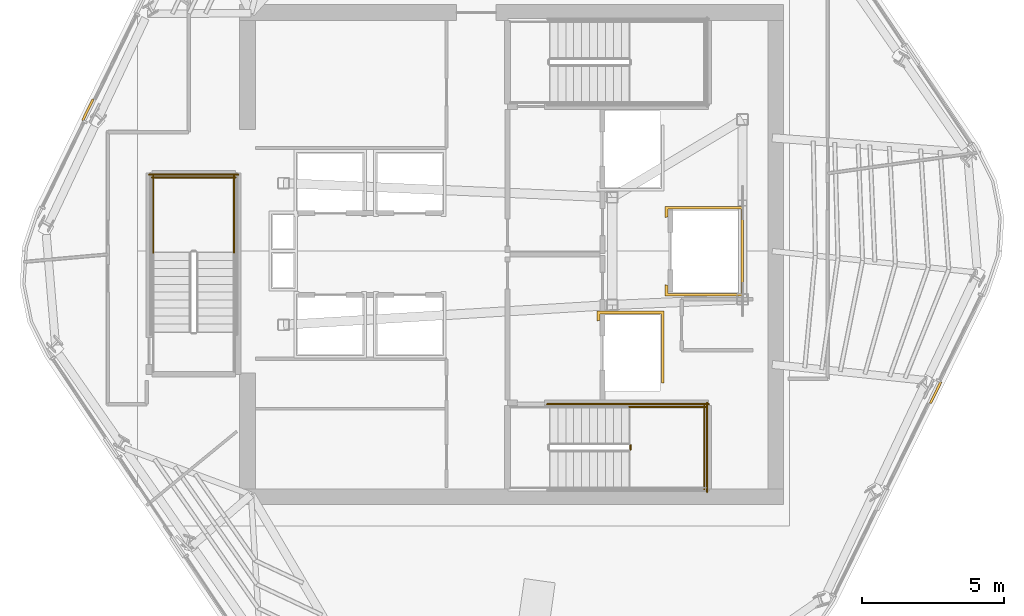
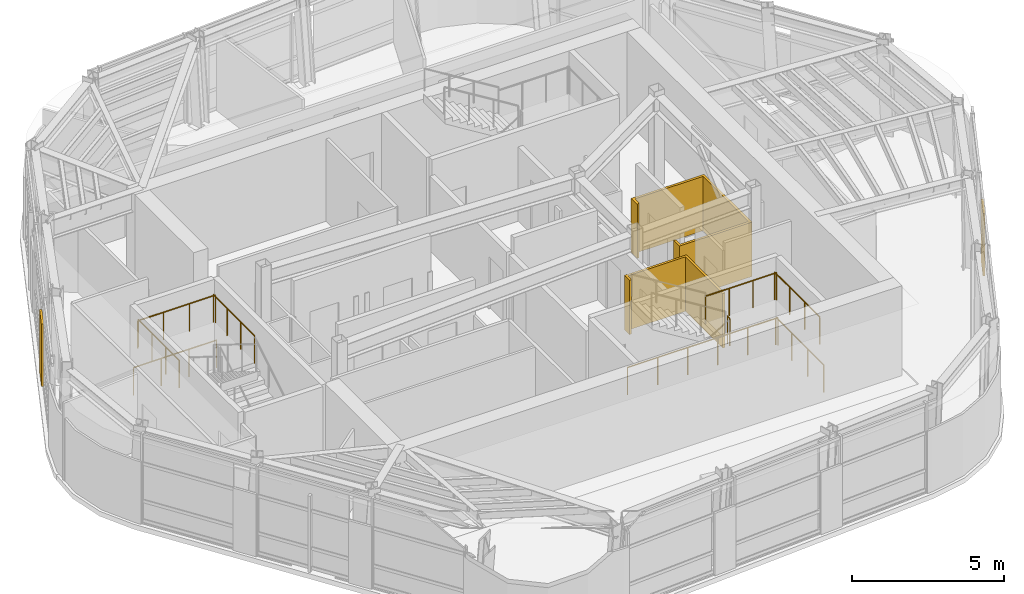
# One storey, part 11 of 14: 9 railings, 4 coverings.
"""IFC4 building model written with IfcOpenShell, lengths in metres."""

import ifcopenshell
import ifcopenshell.guid

model = None  # the IFC model being written
_history = None  # IfcOwnerHistory: only IFC2X3 demands one
_inside = {}  # id of a spatial element -> (the spatial element, [elements in it])
_under = {}  # id of a project, library or spatial element -> (it, [spatial elements below it])
_declared = {}  # id of a project -> (the project, [libraries it declares])
_typed = {}  # id of a type object -> (the type object, [elements of that type])
_made_of = {}  # id of a material, layer set ... -> (it, [elements and type objects made of it])


def new_model(schema):
    """Start an empty IFC model of exactly this schema.

    Asked for "IFC4X3", IfcOpenShell would pick the latest addendum, in which some entities
    have other attributes; the version numbers below select the first issue.
    IFC2X3 requires an IfcOwnerHistory on every rooted entity: one is made here for all.
    """
    global model, _history
    if schema == "IFC4X3":
        model = ifcopenshell.file(schema_version=(4, 3, 0, 0))
    else:
        model = ifcopenshell.file(schema=schema)
    _inside.clear()
    _under.clear()
    _declared.clear()
    _typed.clear()
    _made_of.clear()
    _history = None
    if model.schema == "IFC2X3":
        org = make("IfcOrganization", Name="unknown")
        user = make(
            "IfcPersonAndOrganization",
            ThePerson=make("IfcPerson", FamilyName="unknown"),
            TheOrganization=org,
        )
        app = make(
            "IfcApplication",
            ApplicationDeveloper=org,
            Version="unknown",
            ApplicationFullName="unknown",
            ApplicationIdentifier="unknown",
        )
        _history = make(
            "IfcOwnerHistory",
            OwningUser=user,
            OwningApplication=app,
            ChangeAction="ADDED",
            CreationDate=0,
        )
    return model


def make(cls, **values):
    """One entity of the class cls with the attributes given. An attribute that is None is left unset."""
    return model.create_entity(
        cls, **{name: value for name, value in values.items() if value is not None}
    )


def rooted(cls, **values):
    """An entity with a GlobalId (a new one), such as an element, a storey or a relation."""
    return make(cls, GlobalId=ifcopenshell.guid.new(), OwnerHistory=_history, **values)


def si_unit(unit_type, name, prefix=None):
    """IfcSIUnit, for example si_unit("LENGTHUNIT", "METRE", prefix="MILLI")."""
    return make("IfcSIUnit", UnitType=unit_type, Prefix=prefix, Name=name)


def assignment(units):
    """IfcUnitAssignment: the units of a project."""
    return None if units is None else make("IfcUnitAssignment", Units=units)


def point(xyz):
    """IfcCartesianPoint."""
    return None if xyz is None else make("IfcCartesianPoint", Coordinates=xyz)


def direction(xyz):
    """IfcDirection."""
    return None if xyz is None else make("IfcDirection", DirectionRatios=xyz)


def frame(location, z_axis=None, x_axis=None):
    """IfcAxis2Placement3D, a coordinate frame: its origin and axes. An axis left out is left unset."""
    return make(
        "IfcAxis2Placement3D",
        Location=point(location),
        Axis=direction(z_axis),
        RefDirection=direction(x_axis),
    )


def frame_2d(location, x_axis=None):
    """IfcAxis2Placement2D, a coordinate frame in the plane: its origin and x axis."""
    return make(
        "IfcAxis2Placement2D", Location=point(location), RefDirection=direction(x_axis)
    )


def origin():
    """The frame at (0, 0, 0) with its axes left unset."""
    return frame((0.0, 0.0, 0.0))


def origin_2d():
    """The frame at (0, 0) in the plane with its x axis left unset."""
    return frame_2d((0.0, 0.0))


def place(relative_to, where):
    """IfcLocalPlacement: puts the frame where relative to a parent placement (None: the world)."""
    return make(
        "IfcLocalPlacement", PlacementRelTo=relative_to, RelativePlacement=where
    )


def context(
    kind, dimensions, precision=None, world=None, true_north=None, identifier=None
):
    """IfcGeometricRepresentationContext, for example the 3D "Model" context."""
    return make(
        "IfcGeometricRepresentationContext",
        ContextIdentifier=identifier,
        ContextType=kind,
        CoordinateSpaceDimension=dimensions,
        Precision=precision,
        WorldCoordinateSystem=world,
        TrueNorth=true_north,
    )


def subcontext(parent, identifier, kind, view, scale=None):
    """IfcGeometricRepresentationSubContext, for example "Body" below "Model"."""
    return make(
        "IfcGeometricRepresentationSubContext",
        ContextIdentifier=identifier,
        ContextType=kind,
        ParentContext=parent,
        TargetScale=scale,
        TargetView=view,
    )


def project(units=None, contexts=None):
    """IfcProject with its units and contexts."""
    return rooted(
        "IfcProject",
        Name="project",
        RepresentationContexts=contexts,
        UnitsInContext=assignment(units),
    )


def spatial(cls, under=None, at=None, **own):
    """A site, building, storey or space (cls), placed at a placement, below another one or the project."""
    s = rooted(cls, ObjectPlacement=at, **own)
    if under is not None:
        _under.setdefault(under.id(), (under, []))[1].append(s)
    return s


def polyline(points):
    """IfcPolyline through the points."""
    return make("IfcPolyline", Points=[point(p) for p in points])


def profile(cls, at=None, kind="AREA", **sizes):
    """A parametric profile (cls). Its sizes go by their IFC names, for example OverallWidth=200.0."""
    return make(cls, ProfileType=kind, Position=at, **sizes)


def circle(**sizes):
    """IfcCircleProfileDef."""
    return profile("IfcCircleProfileDef", **sizes)


def outline(outer, holes=None, kind="AREA"):
    """IfcArbitraryClosedProfileDef: a profile drawn as a closed curve; with holes, ...WithVoids."""
    if holes is None:
        return make("IfcArbitraryClosedProfileDef", ProfileType=kind, OuterCurve=outer)
    return make(
        "IfcArbitraryProfileDefWithVoids",
        ProfileType=kind,
        OuterCurve=outer,
        InnerCurves=holes,
    )


def extrude(swept, where, along, depth):
    """IfcExtrudedAreaSolid: the profile swept, set in the frame where, extruded along a direction by depth."""
    return make(
        "IfcExtrudedAreaSolid",
        SweptArea=swept,
        Position=where,
        ExtrudedDirection=direction(along),
        Depth=depth,
    )


def shape(context_of_items, identifier, shape_type, items):
    """IfcShapeRepresentation: the items that make up one representation, for example the "Body"."""
    return make(
        "IfcShapeRepresentation",
        ContextOfItems=context_of_items,
        RepresentationIdentifier=identifier,
        RepresentationType=shape_type,
        Items=items,
    )


def material(Name=None, Category=None):
    """IfcMaterial."""
    return make("IfcMaterial", Name=Name, Category=Category)


def layer(
    of_material, thickness, ventilated=None, Name=None, Category=None, Priority=None
):
    """IfcMaterialLayer: one layer of a wall or slab, of a material (None: an air gap)."""
    return make(
        "IfcMaterialLayer",
        Material=of_material,
        LayerThickness=thickness,
        IsVentilated=ventilated,
        Name=Name,
        Category=Category,
        Priority=Priority,
    )


def layer_set(layers, Name=None):
    """IfcMaterialLayerSet."""
    return make("IfcMaterialLayerSet", MaterialLayers=layers, LayerSetName=Name)


def made_of(thing, what):
    """Note that an element or type object is made of a material, layer set ...; save() writes the relation."""
    if what is not None:
        _made_of.setdefault(what.id(), (what, []))[1].append(thing)
    return thing


def type_object(cls, material=None, **own):
    """A type object (cls), such as IfcWallType, which elements share."""
    return made_of(rooted(cls, **own), material)


def element(
    cls,
    number,
    at=None,
    inside=None,
    cuts=None,
    type_object=None,
    material=None,
    context=None,
    identifier="Body",
    shape_type=None,
    held_by="IfcProductDefinitionShape",
    body=None,
    shapes=None,
    **own,
):
    """One element of the class cls, such as IfcWall. Its Tag is "e" and its number.

    at: its placement. inside: the storey or other place that contains it. cuts: it is an
    opening in that element (IfcRelVoidsElement). A single representation is given by context,
    identifier, shape_type and body (its items); several are given by shapes. held_by: the class
    of the entity that holds the representations. save() writes the other relations.
    """
    e = rooted(cls, Tag="e%d" % number, ObjectPlacement=at, **own)
    if body is not None:
        shapes = [shape(context, identifier, shape_type, body)]
    if shapes is not None:
        e.Representation = make(held_by, Representations=shapes)
    if inside is not None:
        _inside.setdefault(inside.id(), (inside, []))[1].append(e)
    if cuts is not None:
        rooted(
            "IfcRelVoidsElement", RelatingBuildingElement=cuts, RelatedOpeningElement=e
        )
    if type_object is not None:
        _typed.setdefault(type_object.id(), (type_object, []))[1].append(e)
    return made_of(e, material)


def aggregate(whole, parts):
    """IfcRelAggregates: a whole, such as a stair, and the parts it consists of."""
    return rooted("IfcRelAggregates", RelatingObject=whole, RelatedObjects=parts)


def save(model, path):
    """Write the relations noted so far, then the file.

    IfcRelAggregates (storeys below a building ...), IfcRelContainedInSpatialStructure (elements
    in a storey), IfcRelDefinesByType, IfcRelAssociatesMaterial and IfcRelDeclares: one each for
    every whole, place, type object, material and project.
    """
    for whole, parts in _under.values():
        aggregate(whole, parts)
    for where, things in _inside.values():
        rooted(
            "IfcRelContainedInSpatialStructure",
            RelatedElements=things,
            RelatingStructure=where,
        )
    for kind, things in _typed.values():
        rooted("IfcRelDefinesByType", RelatedObjects=things, RelatingType=kind)
    for what, things in _made_of.values():
        rooted("IfcRelAssociatesMaterial", RelatedObjects=things, RelatingMaterial=what)
    for by, libraries in _declared.values():
        rooted("IfcRelDeclares", RelatingContext=by, RelatedDefinitions=libraries)
    model.write(path)


model = new_model("IFC4")

# Units and contexts
model_context = context("Model", 3, precision=1e-05, world=origin(), true_north=direction((0.0, 1.0)))
body_context = subcontext(model_context, "Body", "Model", "MODEL_VIEW")
ifc_project = project(units=[si_unit("LENGTHUNIT", "METRE"), si_unit("AREAUNIT", "SQUARE_METRE"), si_unit("VOLUMEUNIT", "CUBIC_METRE"), si_unit("PLANEANGLEUNIT", "RADIAN"), si_unit("MASSUNIT", "GRAM", prefix="KILO")], contexts=[model_context])

# Site, building, storey
site_placement = place(None, origin())
site = spatial("IfcSite", under=ifc_project, at=site_placement, CompositionType="ELEMENT")
building_placement = place(site_placement, origin())
building = spatial("IfcBuilding", under=site, at=building_placement, Name="Valkerne Bourse Tower", CompositionType="ELEMENT")
storey_placement = place(building_placement, frame((0.0, 0.0, 300.199951171875)))
storey = spatial("IfcBuildingStorey", under=building, at=storey_placement, Name="L76", CompositionType="ELEMENT", Elevation=300.199951171875)

# Coverings
ifc_material_1 = material(Name="Bronze Anodised Aluminium AA 6063-T6", Category="aluminium")
ifc_layer_1 = layer(ifc_material_1, 0.06005859375)
ifc_layer_set_1 = layer_set([ifc_layer_1], Name="Bronze Anodised Aluminium AA 6063-T6")
covering_type_1 = type_object("IfcCoveringType", Name="COV-CRN-ALUM", PredefinedType="CLADDING", material=ifc_layer_set_1)
covering_1_placement = place(storey_placement, origin())
element("IfcCovering", 1, at=covering_1_placement, inside=storey, type_object=covering_type_1, Name="L76 Wind-Shaped Corner Aluminium Cladding 02", PredefinedType="CLADDING", context=body_context, shape_type="SweptSolid", body=[
    extrude(outline(polyline([(61.617919921875, 21.6181640625), (61.5458984375, 21.6533203125), (61.916748046875, 22.406982421875), (61.98876953125, 22.3720703125), (61.617919921875, 21.6181640625)])), origin(), (0.0, 0.0, 1.0), 2.5),
])
covering_2_placement = place(storey_placement, origin())
element("IfcCovering", 2, at=covering_2_placement, inside=storey, type_object=covering_type_1, Name="L76 Wind-Shaped Corner Aluminium Cladding 11", PredefinedType="CLADDING", context=body_context, shape_type="SweptSolid", body=[
    extrude(outline(polyline([(31.987060546875, 32.37939453125), (32.058837890625, 32.34423828125), (31.690673828125, 31.589111328125), (31.618896484375, 31.62451171875), (31.987060546875, 32.37939453125)])), origin(), (0.0, 0.0, 1.0), 2.5),
])
ifc_material_2 = material(Name="Gypsum Shaftwall Liner Board", Category="gypsum")
ifc_layer_2 = layer(ifc_material_2, 0.080078125)
ifc_layer_set_2 = layer_set([ifc_layer_2], Name="Gypsum Shaftwall Liner Board")
covering_type_2 = type_object("IfcCoveringType", Name="COV-SHF-CLAD", PredefinedType="CLADDING", material=ifc_layer_set_2)
covering_3_placement = place(storey_placement, origin())
element("IfcCovering", 3, at=covering_3_placement, inside=storey, type_object=covering_type_2, Name="L76 Hoistway & Riser Shaftwall Liner 01", PredefinedType="CLADDING", context=body_context, shape_type="SweptSolid", body=[
    extrude(outline(polyline([(52.179931640625, 24.8798828125), (52.179931640625, 22.35009765625), (52.090087890625, 22.35009765625), (52.090087890625, 24.7900390625), (49.909912109375, 24.7900390625), (49.909912109375, 24.560791015625), (49.869384765625, 24.550537109375), (49.827880859375, 24.53564453125), (49.820068359375, 24.531982421875), (49.820068359375, 24.8798828125), (52.179931640625, 24.8798828125)])), origin(), (0.0, 0.0, 1.0), 2.179931640625),
])
covering_4_placement = place(storey_placement, origin())
element("IfcCovering", 4, at=covering_4_placement, inside=storey, type_object=covering_type_2, Name="L76 Hoistway & Riser Shaftwall Liner 05", PredefinedType="CLADDING", context=body_context, shape_type="SweptSolid", body=[
    extrude(outline(polyline([(54.97998046875, 28.580078125), (54.97998046875, 25.419921875), (52.219970703125, 25.419921875), (52.219970703125, 25.81787109375), (52.227783203125, 25.814208984375), (52.269287109375, 25.79931640625), (52.31005859375, 25.789306640625), (52.31005859375, 25.510009765625), (54.889892578125, 25.510009765625), (54.889892578125, 28.489990234375), (52.31005859375, 28.489990234375), (52.31005859375, 28.210693359375), (52.269287109375, 28.20068359375), (52.227783203125, 28.185791015625), (52.219970703125, 28.18212890625), (52.219970703125, 28.580078125), (54.97998046875, 28.580078125)])), origin(), (0.0, 0.0, 1.0), 2.179931640625),
])

# Railings
ifc_material_3 = material(Name="Galvanised Painted Steel", Category="steel")
railing_type = type_object("IfcRailingType", Name="RLG-ST-GUARD-1120", PredefinedType="GUARDRAIL", material=ifc_material_3)
railing_1_placement = place(storey_placement, frame((51.0, 20.0, 1.900146484375)))
element("IfcRailing", 5, at=railing_1_placement, inside=storey, type_object=railing_type, Name="L76 ST-1 stair guard 2", PredefinedType="GUARDRAIL", context=body_context, shape_type="SweptSolid", body=[
    extrude(circle(Radius=0.02392578125, at=origin_2d()), frame((0.0, 0.0, 1.09619140625), z_axis=(0.0, 1.0, 0.0), x_axis=(-1.0, 0.0, 0.0)), (0.0, 0.0, 1.0), 0.14990234375),
    extrude(circle(Radius=0.02099609375, at=origin_2d()), origin(), (0.0, 0.0, 1.0), 1.072021484375),
    extrude(circle(Radius=0.02099609375, at=origin_2d()), frame((0.0, 0.14990234375, 0.0)), (0.0, 0.0, 1.0), 1.072021484375),
])
railing_2_placement = place(storey_placement, frame((50.949951171875, 21.5, 1.900146484375)))
element("IfcRailing", 6, at=railing_2_placement, inside=storey, type_object=railing_type, Name="L76 ST-1 stair guard 4", PredefinedType="GUARDRAIL", context=body_context, shape_type="SweptSolid", body=[
    extrude(circle(Radius=0.02392578125, at=origin_2d()), frame((0.0, 0.0, 1.09619140625), z_axis=(1.0, 0.0, 0.0), x_axis=(0.0, 1.0, 0.0)), (0.0, 0.0, 1.0), 2.699951171875),
    extrude(circle(Radius=0.02099609375, at=origin_2d()), origin(), (0.0, 0.0, 1.0), 1.072021484375),
    extrude(circle(Radius=0.02099609375, at=origin_2d()), frame((0.89990234375, 0.0, 0.0)), (0.0, 0.0, 1.0), 1.072021484375),
    extrude(circle(Radius=0.02099609375, at=origin_2d()), frame((1.800048828125, 0.0, 0.0)), (0.0, 0.0, 1.0), 1.072021484375),
    extrude(circle(Radius=0.02099609375, at=origin_2d()), frame((2.699951171875, 0.0, 0.0)), (0.0, 0.0, 1.0), 1.072021484375),
])
railing_3_placement = place(storey_placement, frame((53.60009765625, 18.60009765625, 1.900146484375)))
element("IfcRailing", 7, at=railing_3_placement, inside=storey, type_object=railing_type, Name="L76 ST-1 stair guard 5", PredefinedType="GUARDRAIL", context=body_context, shape_type="SweptSolid", body=[
    extrude(circle(Radius=0.02392578125, at=origin_2d()), frame((0.0, 0.0, 1.09619140625), z_axis=(0.0, 1.0, 0.0), x_axis=(-1.0, 0.0, 0.0)), (0.0, 0.0, 1.0), 2.949951171875),
    extrude(circle(Radius=0.02099609375, at=origin_2d()), origin(), (0.0, 0.0, 1.0), 1.072021484375),
    extrude(circle(Radius=0.02099609375, at=origin_2d()), frame((0.0, 0.9833984375, 0.0)), (0.0, 0.0, 1.0), 1.072021484375),
    extrude(circle(Radius=0.02099609375, at=origin_2d()), frame((0.0, 1.966552734375, 0.0)), (0.0, 0.0, 1.0), 1.072021484375),
    extrude(circle(Radius=0.02099609375, at=origin_2d()), frame((0.0, 2.949951171875, 0.0)), (0.0, 0.0, 1.0), 1.072021484375),
])
railing_4_placement = place(storey_placement, frame((48.050048828125, 21.60009765625, 0.0)))
element("IfcRailing", 8, at=railing_4_placement, inside=storey, type_object=railing_type, Name="L76 ST-1 stair guard 11", PredefinedType="GUARDRAIL", context=body_context, shape_type="SweptSolid", body=[
    extrude(circle(Radius=0.02392578125, at=origin_2d()), frame((0.0, 0.0, 1.09619140625), z_axis=(1.0, 0.0, 0.0), x_axis=(0.0, 1.0, 0.0)), (0.0, 0.0, 1.0), 5.699951171875),
    extrude(circle(Radius=0.02099609375, at=origin_2d()), origin(), (0.0, 0.0, 1.0), 1.072021484375),
    extrude(circle(Radius=0.02099609375, at=origin_2d()), frame((1.139892578125, 0.0, 0.0)), (0.0, 0.0, 1.0), 1.072021484375),
    extrude(circle(Radius=0.02099609375, at=origin_2d()), frame((2.280029296875, 0.0, 0.0)), (0.0, 0.0, 1.0), 1.072021484375),
    extrude(circle(Radius=0.02099609375, at=origin_2d()), frame((3.419921875, 0.0, 0.0)), (0.0, 0.0, 1.0), 1.072021484375),
    extrude(circle(Radius=0.02099609375, at=origin_2d()), frame((4.56005859375, 0.0, 0.0)), (0.0, 0.0, 1.0), 1.072021484375),
    extrude(circle(Radius=0.02099609375, at=origin_2d()), frame((5.699951171875, 0.0, 0.0)), (0.0, 0.0, 1.0), 1.072021484375),
])
railing_5_placement = place(storey_placement, frame((53.699951171875, 18.5, 0.0)))
element("IfcRailing", 9, at=railing_5_placement, inside=storey, type_object=railing_type, Name="L76 ST-1 stair guard 12", PredefinedType="GUARDRAIL", context=body_context, shape_type="SweptSolid", body=[
    extrude(circle(Radius=0.02392578125, at=origin_2d()), frame((0.0, 0.0, 1.09619140625), z_axis=(0.0, 1.0, 0.0), x_axis=(-1.0, 0.0, 0.0)), (0.0, 0.0, 1.0), 3.14990234375),
    extrude(circle(Radius=0.02099609375, at=origin_2d()), origin(), (0.0, 0.0, 1.0), 1.072021484375),
    extrude(circle(Radius=0.02099609375, at=origin_2d()), frame((0.0, 1.050048828125, 0.0)), (0.0, 0.0, 1.0), 1.072021484375),
    extrude(circle(Radius=0.02099609375, at=origin_2d()), frame((0.0, 2.099853515625, 0.0)), (0.0, 0.0, 1.0), 1.072021484375),
    extrude(circle(Radius=0.02099609375, at=origin_2d()), frame((0.0, 3.14990234375, 0.0)), (0.0, 0.0, 1.0), 1.072021484375),
])
for number, where, name in (
    (10, (37.0, 26.949951171875, 1.900146484375), "L76 ST-3 stair guard 3"),
    (11, (34.14990234375, 26.949951171875, 1.900146484375), "L76 ST-3 stair guard 4"),
):
    element("IfcRailing", number, at=place(storey_placement, frame(where)), inside=storey, type_object=railing_type, Name=name, PredefinedType="GUARDRAIL", context=body_context, shape_type="SweptSolid", body=[
        extrude(circle(Radius=0.02392578125, at=origin_2d()), frame((0.0, 0.0, 1.09619140625), z_axis=(0.0, 1.0, 0.0), x_axis=(-1.0, 0.0, 0.0)), (0.0, 0.0, 1.0), 2.699951171875),
        extrude(circle(Radius=0.02099609375, at=origin_2d()), origin(), (0.0, 0.0, 1.0), 1.072021484375),
        extrude(circle(Radius=0.02099609375, at=origin_2d()), frame((0.0, 0.89990234375, 0.0)), (0.0, 0.0, 1.0), 1.072021484375),
        extrude(circle(Radius=0.02099609375, at=origin_2d()), frame((0.0, 1.800048828125, 0.0)), (0.0, 0.0, 1.0), 1.072021484375),
        extrude(circle(Radius=0.02099609375, at=origin_2d()), frame((0.0, 2.699951171875, 0.0)), (0.0, 0.0, 1.0), 1.072021484375),
    ])
railing_6_placement = place(storey_placement, frame((37.050048828125, 29.60009765625, 1.900146484375)))
element("IfcRailing", 12, at=railing_6_placement, inside=storey, type_object=railing_type, Name="L76 ST-3 stair guard 5", PredefinedType="GUARDRAIL", context=body_context, shape_type="SweptSolid", body=[
    extrude(circle(Radius=0.02392578125, at=origin_2d()), frame((0.0, 0.0, 1.09619140625), z_axis=(-1.0, 0.0, 0.0), x_axis=(0.0, -1.0, 0.0)), (0.0, 0.0, 1.0), 2.949951171875),
    extrude(circle(Radius=0.02099609375, at=origin_2d()), origin(), (0.0, 0.0, 1.0), 1.072021484375),
    extrude(circle(Radius=0.02099609375, at=origin_2d()), frame((-0.9833984375, 0.0, 0.0)), (0.0, 0.0, 1.0), 1.072021484375),
    extrude(circle(Radius=0.02099609375, at=origin_2d()), frame((-1.966552734375, 0.0, 0.0)), (0.0, 0.0, 1.0), 1.072021484375),
    extrude(circle(Radius=0.02099609375, at=origin_2d()), frame((-2.949951171875, 0.0, 0.0)), (0.0, 0.0, 1.0), 1.072021484375),
])
railing_7_placement = place(storey_placement, frame((37.14990234375, 29.699951171875, 0.0)))
element("IfcRailing", 13, at=railing_7_placement, inside=storey, type_object=railing_type, Name="L76 ST-3 stair guard 12", PredefinedType="GUARDRAIL", context=body_context, shape_type="SweptSolid", body=[
    extrude(circle(Radius=0.02392578125, at=origin_2d()), frame((0.0, 0.0, 1.09619140625), z_axis=(-1.0, 0.0, 0.0), x_axis=(0.0, -1.0, 0.0)), (0.0, 0.0, 1.0), 3.14990234375),
    extrude(circle(Radius=0.02099609375, at=origin_2d()), origin(), (0.0, 0.0, 1.0), 1.072021484375),
    extrude(circle(Radius=0.02099609375, at=origin_2d()), frame((-1.050048828125, 0.0, 0.0)), (0.0, 0.0, 1.0), 1.072021484375),
    extrude(circle(Radius=0.02099609375, at=origin_2d()), frame((-2.099853515625, 0.0, 0.0)), (0.0, 0.0, 1.0), 1.072021484375),
    extrude(circle(Radius=0.02099609375, at=origin_2d()), frame((-3.14990234375, 0.0, 0.0)), (0.0, 0.0, 1.0), 1.072021484375),
])

save(model, "model.ifc")
